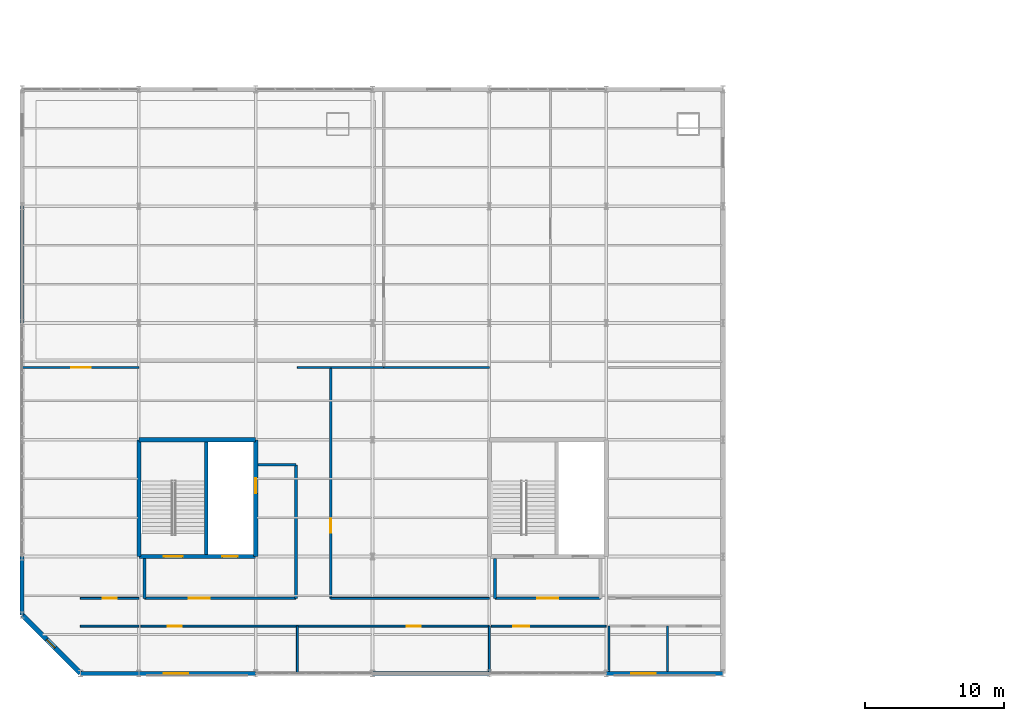
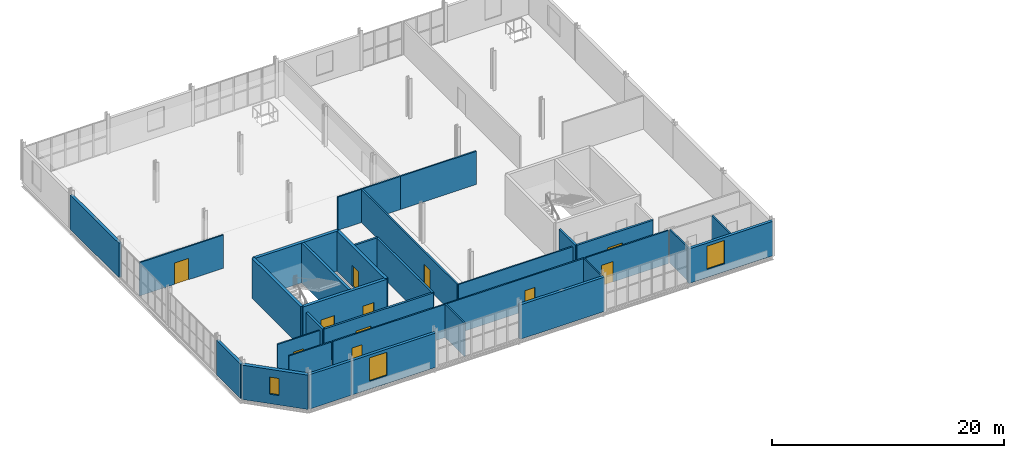
# One storey, part 48 of 65: 33 walls, 11 doors, 3 windows, 14 openings.
"""IFC4 building model written with IfcOpenShell, lengths in metres."""

from ifc_helpers import new_model, si_unit, direction, frame, frame_2d, origin, place, context, subcontext, project, spatial, rectangle, extrude, material, layer, layer_set, type_object, element, fill, save


model = new_model("IFC4")

# Units and contexts
model_context = context("Model", 3, precision=1e-05, world=origin(), true_north=direction((0.0, 1.0)))
body_context = subcontext(model_context, "Body", "Model", "MODEL_VIEW")
ifc_project = project(units=[si_unit("LENGTHUNIT", "METRE"), si_unit("AREAUNIT", "SQUARE_METRE"), si_unit("VOLUMEUNIT", "CUBIC_METRE"), si_unit("PLANEANGLEUNIT", "RADIAN"), si_unit("MASSUNIT", "GRAM", prefix="KILO")], contexts=[model_context])

# Site, building, storey
site_placement = place(None, origin())
site = spatial("IfcSite", under=ifc_project, at=site_placement, CompositionType="ELEMENT")
building_placement = place(site_placement, origin())
building = spatial("IfcBuilding", under=site, at=building_placement, Name="Qalvenar Corner Mobility Hub", CompositionType="ELEMENT")
storey_placement = place(building_placement, frame((0.0, 0.0, 17.39990234375)))
storey = spatial("IfcBuildingStorey", under=building, at=storey_placement, Name="L04", CompositionType="ELEMENT", Elevation=17.39990234375)

# Wall
ifc_material_1 = material(Name="Concrete C40/50", Category="concrete")
ifc_layer_1 = layer(ifc_material_1, 0.25)
ifc_layer_set_1 = layer_set([ifc_layer_1], Name="Concrete C40/50")
wall_type_1 = type_object("IfcWallType", Name="WL-CORE250", PredefinedType="SHEAR", material=ifc_layer_set_1)
wall_1_placement = place(storey_placement, frame((13.25, 8.550048828125, 0.0), z_axis=(0.0, 0.0, 1.0), x_axis=(0.0, 1.0, 0.0)))
element("IfcWall", 1, at=wall_1_placement, inside=storey, type_object=wall_type_1, Name="Core Divider Wall C1-L04", PredefinedType="SHEAR", context=body_context, shape_type="SweptSolid", body=[
    extrude(rectangle(XDim=8.099853515625, YDim=0.25, at=frame_2d((4.0498046875, 0.0))), origin(), (0.0, 0.0, 1.0), 4.2001953125),
])

# Wall, openings, doors
ifc_layer_2 = layer(ifc_material_1, 0.300048828125)
ifc_layer_set_2 = layer_set([ifc_layer_2], Name="Concrete C40/50")
wall_type_2 = type_object("IfcWallType", Name="WL-CORE300", PredefinedType="SHEAR", material=ifc_layer_set_2)
wall_2_placement = place(storey_placement, frame((8.39990234375, 8.39990234375, 0.0), z_axis=(0.0, 0.0, 1.0), x_axis=(1.0, 0.0, 0.0)))
wall_2 = element("IfcWall", 2, at=wall_2_placement, inside=storey, type_object=wall_type_2, Name="Core Shear Wall C1-L04-S", PredefinedType="SHEAR", context=body_context, shape_type="SweptSolid", body=[
    extrude(rectangle(XDim=8.400146484375, YDim=0.300048828125, at=frame_2d((4.2001953125, 0.0))), origin(), (0.0, 0.0, 1.0), 4.2001953125),
])
opening_1_placement = place(wall_2_placement, frame((1.800048828125, 0.0, 0.0)))
opening_1 = element("IfcOpeningElement", 3, at=opening_1_placement, cuts=wall_2, Name="Opening DR-227", PredefinedType="OPENING", context=body_context, shape_type="SweptSolid", body=[
    extrude(rectangle(XDim=1.35009765625, YDim=2.199951171875, at=frame_2d((0.675048828125, 1.10009765625))), frame((0.0, 0.16015625, 0.0), z_axis=(0.0, -1.0, 0.0), x_axis=(1.0, 0.0, 0.0)), (0.0, 0.0, 1.0), 0.320068359375),
])
opening_2_placement = place(wall_2_placement, frame((6.0, 0.0, 0.0)))
opening_2 = element("IfcOpeningElement", 4, at=opening_2_placement, cuts=wall_2, Name="Opening DR-228", PredefinedType="OPENING", context=body_context, shape_type="SweptSolid", body=[
    extrude(rectangle(XDim=1.10009765625, YDim=2.199951171875, at=frame_2d((0.550048828125, 1.10009765625))), frame((0.0, 0.16015625, 0.0), z_axis=(0.0, -1.0, 0.0), x_axis=(1.0, 0.0, 0.0)), (0.0, 0.0, 1.0), 0.320068359375),
])
ifc_material_2 = material(Name="Stainless Steel Lift Landing Door", Category="steel")
door_type_1 = type_object("IfcDoorType", Name="DR-LIFT-110", OperationType="SLIDING_TO_LEFT", PredefinedType="DOOR", material=ifc_material_2)
door_1_placement = place(opening_2_placement, origin())
door_1 = element("IfcDoor", 5, at=door_1_placement, inside=storey, type_object=door_type_1, Name="DR-228 Lift Landing Door LF1-L04", OperationType="SLIDING_TO_LEFT", OverallHeight=2.199951171875, OverallWidth=1.10009765625, PredefinedType="DOOR", context=body_context, shape_type="SweptSolid", body=[
    extrude(rectangle(XDim=1.10009765625, YDim=2.199951171875, at=frame_2d((0.550048828125, 1.10009765625))), frame((0.0, 0.02490234375, 0.0), z_axis=(0.0, -1.0, 0.0), x_axis=(1.0, 0.0, 0.0)), (0.0, 0.0, 1.0), 0.050048828125),
])
fill(opening_2, door_1)
ifc_material_3 = material(Name="Fire-Rated Steel Stair Door FD90", Category="steel")
door_type_2 = type_object("IfcDoorType", Name="DR-STAIR-135", OperationType="NOTDEFINED", PredefinedType="DOOR", material=ifc_material_3)
door_2_placement = place(opening_1_placement, origin())
door_2 = element("IfcDoor", 6, at=door_2_placement, inside=storey, type_object=door_type_2, Name="DR-227 Stair Fire Door ST1-L04", OperationType="SINGLE_SWING_LEFT", OverallHeight=2.199951171875, OverallWidth=1.35009765625, PredefinedType="DOOR", context=body_context, shape_type="SweptSolid", body=[
    extrude(rectangle(XDim=1.35009765625, YDim=2.199951171875, at=frame_2d((0.675048828125, 1.10009765625))), frame((0.0, 0.02490234375, 0.0), z_axis=(0.0, -1.0, 0.0), x_axis=(1.0, 0.0, 0.0)), (0.0, 0.0, 1.0), 0.050048828125),
])
fill(opening_1, door_2)

# Wall, opening, door
wall_3_placement = place(storey_placement, frame((16.800048828125, 8.39990234375, 0.0), z_axis=(0.0, 0.0, 1.0), x_axis=(0.0, 1.0, 0.0)))
wall_3 = element("IfcWall", 7, at=wall_3_placement, inside=storey, type_object=wall_type_2, Name="Core Shear Wall C1-L04-E", PredefinedType="SHEAR", context=body_context, shape_type="SweptSolid", body=[
    extrude(rectangle(XDim=8.400146484375, YDim=0.300048828125, at=frame_2d((4.2001953125, 0.0))), origin(), (0.0, 0.0, 1.0), 4.2001953125),
])
opening_3_placement = place(wall_3_placement, frame((4.550048828125, 0.0, 0.0)))
opening_3 = element("IfcOpeningElement", 8, at=opening_3_placement, cuts=wall_3, Name="Opening DR-229", PredefinedType="OPENING", context=body_context, shape_type="SweptSolid", body=[
    extrude(rectangle(XDim=1.10009765625, YDim=2.199951171875, at=frame_2d((0.550048828125, 1.10009765625))), frame((0.0, 0.16015625, 0.0), z_axis=(0.0, -1.0, 0.0), x_axis=(1.0, 0.0, 0.0)), (0.0, 0.0, 1.0), 0.320068359375),
])
door_3_placement = place(opening_3_placement, origin())
door_3 = element("IfcDoor", 9, at=door_3_placement, inside=storey, type_object=door_type_1, Name="DR-229 Lift Landing Door LP1-L04", OperationType="SLIDING_TO_RIGHT", OverallHeight=2.199951171875, OverallWidth=1.10009765625, PredefinedType="DOOR", context=body_context, shape_type="SweptSolid", body=[
    extrude(rectangle(XDim=1.10009765625, YDim=2.199951171875, at=frame_2d((0.550048828125, 1.10009765625))), frame((0.0, 0.02490234375, 0.0), z_axis=(0.0, -1.0, 0.0), x_axis=(1.0, 0.0, 0.0)), (0.0, 0.0, 1.0), 0.050048828125),
])
fill(opening_3, door_3)

# Walls
for number, where, z_axis, x_axis, name in (
    (10, (16.800048828125, 16.800048828125, 0.0), (0.0, 0.0, 1.0), (-1.0, 0.0, 0.0), "Core Shear Wall C1-L04-N"),
    (11, (8.39990234375, 16.800048828125, 0.0), (0.0, 0.0, 1.0), (0.0, -1.0, 0.0), "Core Shear Wall C1-L04-W"),
):
    element("IfcWall", number, at=place(storey_placement, frame(where, z_axis=z_axis, x_axis=x_axis)), inside=storey, type_object=wall_type_2, Name=name, PredefinedType="SHEAR", context=body_context, shape_type="SweptSolid", body=[
        extrude(rectangle(XDim=8.400146484375, YDim=0.300048828125, at=frame_2d((4.2001953125, 0.0))), origin(), (0.0, 0.0, 1.0), 4.2001953125),
    ])
ifc_material_4 = material(Name="Kashikari Glazed Faience Masonry", Category="masonry")
ifc_layer_3 = layer(ifc_material_4, 0.280029296875)
ifc_layer_set_3 = layer_set([ifc_layer_3], Name="Kashikari Glazed Faience Masonry")
wall_type_3 = type_object("IfcWallType", Name="WL-EXT-FAI280", PredefinedType="STANDARD", material=ifc_layer_set_3)
wall_4_placement = place(storey_placement, frame((4.199951171875, 0.0, 0.0), z_axis=(0.0, 0.0, 1.0), x_axis=(1.0, 0.0, 0.0)))
element("IfcWall", 12, at=wall_4_placement, inside=storey, type_object=wall_type_3, Name="Exterior Facade Wall EW-V3-L04-041", PredefinedType="STANDARD", context=body_context, shape_type="SweptSolid", body=[
    extrude(rectangle(XDim=4.199951171875, YDim=0.280029296875, at=frame_2d((2.10009765625, 0.0))), origin(), (0.0, 0.0, 1.0), 3.6201171875),
])

# Wall, opening, window
wall_5_placement = place(storey_placement, frame((8.39990234375, 0.0, 0.0), z_axis=(0.0, 0.0, 1.0), x_axis=(1.0, 0.0, 0.0)))
wall_5 = element("IfcWall", 13, at=wall_5_placement, inside=storey, type_object=wall_type_3, Name="Exterior Facade Wall EW-V3-L04-042", PredefinedType="STANDARD", context=body_context, shape_type="SweptSolid", body=[
    extrude(rectangle(XDim=8.400146484375, YDim=0.280029296875, at=frame_2d((4.2001953125, 0.0))), origin(), (0.0, 0.0, 1.0), 3.6201171875),
])
opening_4_placement = place(wall_5_placement, frame((1.800048828125, 0.0, 0.85009765625)))
opening_4 = element("IfcOpeningElement", 14, at=opening_4_placement, cuts=wall_5, Name="Opening W-25", PredefinedType="OPENING", context=body_context, shape_type="SweptSolid", body=[
    extrude(rectangle(XDim=1.75, YDim=2.449951171875, at=frame_2d((0.875, 1.22509765625))), frame((0.0, 0.14990234375, 0.0), z_axis=(0.0, -1.0, 0.0), x_axis=(1.0, 0.0, 0.0)), (0.0, 0.0, 1.0), 0.300048828125),
])
ifc_material_5 = material(Name="Solar-Control Double-Glazed Bronze Window", Category="glass")
window_type_1 = type_object("IfcWindowType", Name="WN-CIV-175X245", PartitioningType="DOUBLE_PANEL_VERTICAL", PredefinedType="WINDOW", material=ifc_material_5)
window_1_placement = place(opening_4_placement, origin())
window_1 = element("IfcWindow", 15, at=window_1_placement, inside=storey, type_object=window_type_1, Name="Facade Window EW-V3-L04-042-W1", OverallHeight=2.449951171875, OverallWidth=1.75, PartitioningType="SINGLE_PANEL", PredefinedType="WINDOW", context=body_context, shape_type="SweptSolid", body=[
    extrude(rectangle(XDim=1.75, YDim=2.449951171875, at=frame_2d((0.875, 1.22509765625))), frame((0.0, 0.030029296875, 0.0), z_axis=(0.0, -1.0, 0.0), x_axis=(1.0, 0.0, 0.0)), (0.0, 0.0, 1.0), 0.06005859375),
])
fill(opening_4, window_1)

# Wall
wall_6_placement = place(storey_placement, frame((25.199951171875, 0.0, 0.0), z_axis=(0.0, 0.0, 1.0), x_axis=(1.0, 0.0, 0.0)))
element("IfcWall", 16, at=wall_6_placement, inside=storey, type_object=wall_type_3, Name="Exterior Facade Wall EW-V3-L04-043", PredefinedType="STANDARD", context=body_context, shape_type="SweptSolid", body=[
    extrude(rectangle(XDim=8.400146484375, YDim=0.280029296875, at=frame_2d((4.2001953125, 0.0))), origin(), (0.0, 0.0, 1.0), 3.6201171875),
])

# Wall, opening, window
wall_7_placement = place(storey_placement, frame((42.0, 0.0, 0.0), z_axis=(0.0, 0.0, 1.0), x_axis=(1.0, 0.0, 0.0)))
wall_7 = element("IfcWall", 17, at=wall_7_placement, inside=storey, type_object=wall_type_3, Name="Exterior Facade Wall EW-V3-L04-044", PredefinedType="STANDARD", context=body_context, shape_type="SweptSolid", body=[
    extrude(rectangle(XDim=8.39990234375, YDim=0.280029296875, at=frame_2d((4.199951171875, 0.0))), origin(), (0.0, 0.0, 1.0), 3.6201171875),
])
opening_5_placement = place(wall_7_placement, frame((1.800048828125, 0.0, 0.85009765625)))
opening_5 = element("IfcOpeningElement", 18, at=opening_5_placement, cuts=wall_7, Name="Opening W-25", PredefinedType="OPENING", context=body_context, shape_type="SweptSolid", body=[
    extrude(rectangle(XDim=1.75, YDim=2.449951171875, at=frame_2d((0.875, 1.22509765625))), frame((0.0, 0.14990234375, 0.0), z_axis=(0.0, -1.0, 0.0), x_axis=(1.0, 0.0, 0.0)), (0.0, 0.0, 1.0), 0.300048828125),
])
window_2_placement = place(opening_5_placement, origin())
window_2 = element("IfcWindow", 19, at=window_2_placement, inside=storey, type_object=window_type_1, Name="Facade Window EW-V3-L04-044-W1", OverallHeight=2.449951171875, OverallWidth=1.75, PartitioningType="SINGLE_PANEL", PredefinedType="WINDOW", context=body_context, shape_type="SweptSolid", body=[
    extrude(rectangle(XDim=1.75, YDim=2.449951171875, at=frame_2d((0.875, 1.22509765625))), frame((0.0, 0.030029296875, 0.0), z_axis=(0.0, -1.0, 0.0), x_axis=(1.0, 0.0, 0.0)), (0.0, 0.0, 1.0), 0.06005859375),
])
fill(opening_5, window_2)

# Walls
wall_8_placement = place(storey_placement, frame((0.0, 8.39990234375, 0.0), z_axis=(0.0, 0.0, 1.0), x_axis=(0.0, -1.0, 0.0)))
element("IfcWall", 20, at=wall_8_placement, inside=storey, type_object=wall_type_3, Name="Exterior Facade Wall EW-V3-L04-045", PredefinedType="STANDARD", context=body_context, shape_type="SweptSolid", body=[
    extrude(rectangle(XDim=4.199951171875, YDim=0.280029296875, at=frame_2d((2.10009765625, 0.0))), origin(), (0.0, 0.0, 1.0), 3.6201171875),
])
wall_9_placement = place(storey_placement, frame((0.0, 33.60009765625, 0.0), z_axis=(0.0, 0.0, 1.0), x_axis=(0.0, -1.0, 0.0)))
element("IfcWall", 21, at=wall_9_placement, inside=storey, type_object=wall_type_3, Name="Exterior Facade Wall EW-V3-L04-046", PredefinedType="STANDARD", context=body_context, shape_type="SweptSolid", body=[
    extrude(rectangle(XDim=8.400146484375, YDim=0.280029296875, at=frame_2d((4.2001953125, 0.0))), origin(), (0.0, 0.0, 1.0), 3.6201171875),
])

# Wall, opening, window
ifc_material_6 = material(Name="Red Sandstone Ashlar Masonry", Category="masonry")
ifc_layer_4 = layer(ifc_material_6, 0.360107421875)
ifc_layer_set_4 = layer_set([ifc_layer_4], Name="Red Sandstone Ashlar Masonry")
wall_type_4 = type_object("IfcWallType", Name="WL-EXT-SAND360", PredefinedType="STANDARD", material=ifc_layer_set_4)
wall_10_placement = place(storey_placement, frame((0.0, 4.199951171875, 0.0), z_axis=(0.0, 0.0, 1.0), x_axis=(0.707106781187, -0.707106781187, 0.0)))
wall_10 = element("IfcWall", 22, at=wall_10_placement, inside=storey, type_object=wall_type_4, Name="Exterior Facade Wall EW-V3-SPL-L04", PredefinedType="STANDARD", context=body_context, shape_type="SweptSolid", body=[
    extrude(rectangle(XDim=5.939697265625, YDim=0.360107421875, at=frame_2d((2.9697265625, 0.0))), origin(), (0.0, 0.0, 1.0), 3.6201171875),
])
opening_6_placement = place(wall_10_placement, frame((2.5, 0.0, 1.0)))
opening_6 = element("IfcOpeningElement", 23, at=opening_6_placement, cuts=wall_10, Name="Opening W-23", PredefinedType="OPENING", context=body_context, shape_type="SweptSolid", body=[
    extrude(rectangle(XDim=0.85009765625, YDim=1.800048828125, at=frame_2d((0.425048828125, 0.89990234375))), frame((0.0, 0.18994140625, 0.0), z_axis=(0.0, -1.0, 0.0), x_axis=(1.0, 0.0, 0.0)), (0.0, 0.0, 1.0), 0.380126953125),
])
window_type_2 = type_object("IfcWindowType", Name="WN-STR-085X180", PartitioningType="SINGLE_PANEL", PredefinedType="WINDOW", material=ifc_material_5)
window_3_placement = place(opening_6_placement, origin())
window_3 = element("IfcWindow", 24, at=window_3_placement, inside=storey, type_object=window_type_2, Name="Facade Window EW-V3-SPL-L04-W1", OverallHeight=1.800048828125, OverallWidth=0.85009765625, PartitioningType="SINGLE_PANEL", PredefinedType="WINDOW", context=body_context, shape_type="SweptSolid", body=[
    extrude(rectangle(XDim=0.85009765625, YDim=1.800048828125, at=frame_2d((0.425048828125, 0.89990234375))), frame((0.0, 0.030029296875, 0.0), z_axis=(0.0, -1.0, 0.0), x_axis=(1.0, 0.0, 0.0)), (0.0, 0.0, 1.0), 0.06005859375),
])
fill(opening_6, window_3)

# Wall
ifc_material_7 = material(Name="Acoustic Gypsum Stud Partition", Category="masonry")
ifc_layer_5 = layer(ifc_material_7, 0.139892578125)
ifc_layer_set_5 = layer_set([ifc_layer_5], Name="Acoustic Gypsum Stud Partition")
wall_type_5 = type_object("IfcWallType", Name="WL-INT140", PredefinedType="PARTITIONING", material=ifc_layer_set_5)
wall_11_placement = place(storey_placement, frame((4.199951171875, 3.39990234375, 0.0), z_axis=(0.0, 0.0, 1.0), x_axis=(1.0, 0.0, 0.0)))
element("IfcWall", 25, at=wall_11_placement, inside=storey, type_object=wall_type_5, Name="Interior Partition PRT-L04-001", PredefinedType="PARTITIONING", context=body_context, shape_type="SweptSolid", body=[
    extrude(rectangle(XDim=4.199951171875, YDim=0.139892578125, at=frame_2d((2.10009765625, 0.0))), origin(), (0.0, 0.0, 1.0), 3.5),
])

# Wall, opening, door
wall_12_placement = place(storey_placement, frame((8.550048828125, 3.39990234375, 0.0), z_axis=(0.0, 0.0, 1.0), x_axis=(1.0, 0.0, 0.0)))
wall_12 = element("IfcWall", 26, at=wall_12_placement, inside=storey, type_object=wall_type_5, Name="Interior Partition PRT-L04-002", PredefinedType="PARTITIONING", context=body_context, shape_type="SweptSolid", body=[
    extrude(rectangle(XDim=11.25, YDim=0.139892578125, at=frame_2d((5.625, 0.0))), origin(), (0.0, 0.0, 1.0), 3.5),
])
opening_7_placement = place(wall_12_placement, frame((1.919921875, 0.0, 0.0)))
opening_7 = element("IfcOpeningElement", 27, at=opening_7_placement, cuts=wall_12, Name="Opening DR-241", PredefinedType="OPENING", context=body_context, shape_type="SweptSolid", body=[
    extrude(rectangle(XDim=1.0, YDim=2.14990234375, at=frame_2d((0.5, 1.074951171875))), frame((0.0, 0.080078125, 0.0), z_axis=(0.0, -1.0, 0.0), x_axis=(1.0, 0.0, 0.0)), (0.0, 0.0, 1.0), 0.159912109375),
])
ifc_material_8 = material(Name="Hardwood Teak Office Door FD30", Category="wood")
door_type_3 = type_object("IfcDoorType", Name="DR-INT-OFF100", OperationType="NOTDEFINED", PredefinedType="DOOR", material=ifc_material_8)
door_4_placement = place(opening_7_placement, origin())
door_4 = element("IfcDoor", 28, at=door_4_placement, inside=storey, type_object=door_type_3, Name="DR-241 City Transport Scale-Model Room Door", OperationType="SINGLE_SWING_RIGHT", OverallHeight=2.14990234375, OverallWidth=1.0, PredefinedType="DOOR", context=body_context, shape_type="SweptSolid", body=[
    extrude(rectangle(XDim=1.0, YDim=2.14990234375, at=frame_2d((0.5, 1.074951171875))), frame((0.0, 0.02490234375, 0.0), z_axis=(0.0, -1.0, 0.0), x_axis=(1.0, 0.0, 0.0)), (0.0, 0.0, 1.0), 0.050048828125),
])
fill(opening_7, door_4)

wall_13_placement = place(storey_placement, frame((19.800048828125, 3.39990234375, 0.0), z_axis=(0.0, 0.0, 1.0), x_axis=(1.0, 0.0, 0.0)))
wall_13 = element("IfcWall", 29, at=wall_13_placement, inside=storey, type_object=wall_type_5, Name="Interior Partition PRT-L04-003", PredefinedType="PARTITIONING", context=body_context, shape_type="SweptSolid", body=[
    extrude(rectangle(XDim=13.800048828125, YDim=0.139892578125, at=frame_2d((6.89990234375, 0.0))), origin(), (0.0, 0.0, 1.0), 3.5),
])
opening_8_placement = place(wall_13_placement, frame((7.8701171875, 0.0, 0.0)))
opening_8 = element("IfcOpeningElement", 30, at=opening_8_placement, cuts=wall_13, Name="Opening DR-242", PredefinedType="OPENING", context=body_context, shape_type="SweptSolid", body=[
    extrude(rectangle(XDim=1.0, YDim=2.14990234375, at=frame_2d((0.5, 1.074951171875))), frame((0.0, 0.080078125, 0.0), z_axis=(0.0, -1.0, 0.0), x_axis=(1.0, 0.0, 0.0)), (0.0, 0.0, 1.0), 0.159912109375),
])
door_5_placement = place(opening_8_placement, origin())
door_5 = element("IfcDoor", 31, at=door_5_placement, inside=storey, type_object=door_type_3, Name="DR-242 Transport Planning Reading Room Door", OperationType="SINGLE_SWING_LEFT", OverallHeight=2.14990234375, OverallWidth=1.0, PredefinedType="DOOR", context=body_context, shape_type="SweptSolid", body=[
    extrude(rectangle(XDim=1.0, YDim=2.14990234375, at=frame_2d((0.5, 1.074951171875))), frame((0.0, 0.02490234375, 0.0), z_axis=(0.0, -1.0, 0.0), x_axis=(1.0, 0.0, 0.0)), (0.0, 0.0, 1.0), 0.050048828125),
])
fill(opening_8, door_5)

wall_14_placement = place(storey_placement, frame((33.75, 3.39990234375, 0.0), z_axis=(0.0, 0.0, 1.0), x_axis=(1.0, 0.0, 0.0)))
wall_14 = element("IfcWall", 32, at=wall_14_placement, inside=storey, type_object=wall_type_5, Name="Interior Partition PRT-L04-004", PredefinedType="PARTITIONING", context=body_context, shape_type="SweptSolid", body=[
    extrude(rectangle(XDim=8.25, YDim=0.139892578125, at=frame_2d((4.125, 0.0))), origin(), (0.0, 0.0, 1.0), 3.5),
])
opening_9_placement = place(wall_14_placement, frame((1.570068359375, 0.0, 0.0)))
opening_9 = element("IfcOpeningElement", 33, at=opening_9_placement, cuts=wall_14, Name="Opening DR-243", PredefinedType="OPENING", context=body_context, shape_type="SweptSolid", body=[
    extrude(rectangle(XDim=1.14990234375, YDim=2.14990234375, at=frame_2d((0.574951171875, 1.074951171875))), frame((0.0, 0.080078125, 0.0), z_axis=(0.0, -1.0, 0.0), x_axis=(1.0, 0.0, 0.0)), (0.0, 0.0, 1.0), 0.159912109375),
])
ifc_material_9 = material(Name="Steel Parts Store Door FD60", Category="steel")
door_type_4 = type_object("IfcDoorType", Name="DR-INT-STR115", OperationType="NOTDEFINED", PredefinedType="DOOR", material=ifc_material_9)
door_6_placement = place(opening_9_placement, origin())
door_6 = element("IfcDoor", 34, at=door_6_placement, inside=storey, type_object=door_type_4, Name="DR-243 Fourth Floor Chair and AV Store Door", OperationType="SINGLE_SWING_LEFT", OverallHeight=2.14990234375, OverallWidth=1.14990234375, PredefinedType="DOOR", context=body_context, shape_type="SweptSolid", body=[
    extrude(rectangle(XDim=1.14990234375, YDim=2.14990234375, at=frame_2d((0.574951171875, 1.074951171875))), frame((0.0, 0.02490234375, 0.0), z_axis=(0.0, -1.0, 0.0), x_axis=(1.0, 0.0, 0.0)), (0.0, 0.0, 1.0), 0.050048828125),
])
fill(opening_9, door_6)

wall_15_placement = place(storey_placement, frame((4.199951171875, 5.39990234375, 0.0), z_axis=(0.0, 0.0, 1.0), x_axis=(1.0, 0.0, 0.0)))
wall_15 = element("IfcWall", 35, at=wall_15_placement, inside=storey, type_object=wall_type_5, Name="Interior Partition PRT-L04-007", PredefinedType="PARTITIONING", context=body_context, shape_type="SweptSolid", body=[
    extrude(rectangle(XDim=4.199951171875, YDim=0.139892578125, at=frame_2d((2.10009765625, 0.0))), origin(), (0.0, 0.0, 1.0), 3.5),
])
opening_10_placement = place(wall_15_placement, frame((1.60009765625, 0.0, 0.0)))
opening_10 = element("IfcOpeningElement", 36, at=opening_10_placement, cuts=wall_15, Name="Opening DR-246", PredefinedType="OPENING", context=body_context, shape_type="SweptSolid", body=[
    extrude(rectangle(XDim=1.0, YDim=2.14990234375, at=frame_2d((0.5, 1.074951171875))), frame((0.0, 0.080078125, 0.0), z_axis=(0.0, -1.0, 0.0), x_axis=(1.0, 0.0, 0.0)), (0.0, 0.0, 1.0), 0.159912109375),
])
door_7_placement = place(opening_10_placement, origin())
door_7 = element("IfcDoor", 37, at=door_7_placement, inside=storey, type_object=door_type_3, Name="DR-246 Lahore Transit Heritage Gallery Door", OperationType="SINGLE_SWING_LEFT", OverallHeight=2.14990234375, OverallWidth=1.0, PredefinedType="DOOR", context=body_context, shape_type="SweptSolid", body=[
    extrude(rectangle(XDim=1.0, YDim=2.14990234375, at=frame_2d((0.5, 1.074951171875))), frame((0.0, 0.02490234375, 0.0), z_axis=(0.0, -1.0, 0.0), x_axis=(1.0, 0.0, 0.0)), (0.0, 0.0, 1.0), 0.050048828125),
])
fill(opening_10, door_7)

# Wall
wall_16_placement = place(storey_placement, frame((22.199951171875, 5.39990234375, 0.0), z_axis=(0.0, 0.0, 1.0), x_axis=(1.0, 0.0, 0.0)))
element("IfcWall", 38, at=wall_16_placement, inside=storey, type_object=wall_type_5, Name="Interior Partition PRT-L04-008", PredefinedType="PARTITIONING", context=body_context, shape_type="SweptSolid", body=[
    extrude(rectangle(XDim=11.400146484375, YDim=0.139892578125, at=frame_2d((5.7001953125, 0.0))), origin(), (0.0, 0.0, 1.0), 3.5),
])

# Wall, opening, door
wall_17_placement = place(storey_placement, frame((0.044921875, 22.0, 0.0), z_axis=(0.0, 0.0, 1.0), x_axis=(1.0, 0.0, 0.0)))
wall_17 = element("IfcWall", 39, at=wall_17_placement, inside=storey, type_object=wall_type_5, Name="Interior Partition PRT-L04-010", PredefinedType="PARTITIONING", context=body_context, shape_type="SweptSolid", body=[
    extrude(rectangle(XDim=8.35498046875, YDim=0.139892578125, at=frame_2d((4.177490234375, 0.0))), origin(), (0.0, 0.0, 1.0), 3.5),
])
opening_11_placement = place(wall_17_placement, frame((3.47802734375, 0.0, 0.0)))
opening_11 = element("IfcOpeningElement", 40, at=opening_11_placement, cuts=wall_17, Name="Opening DR-248", PredefinedType="OPENING", context=body_context, shape_type="SweptSolid", body=[
    extrude(rectangle(XDim=1.39990234375, YDim=2.25, at=frame_2d((0.699951171875, 1.125))), frame((0.0, 0.080078125, 0.0), z_axis=(0.0, -1.0, 0.0), x_axis=(1.0, 0.0, 0.0)), (0.0, 0.0, 1.0), 0.159912109375),
])
ifc_material_10 = material(Name="Hardwood Teak Acoustic Double Door", Category="wood")
door_type_5 = type_object("IfcDoorType", Name="DR-INT-PUB140", OperationType="DOUBLE_DOOR_SINGLE_SWING", PredefinedType="DOOR", material=ifc_material_10)
door_8_placement = place(opening_11_placement, origin())
door_8 = element("IfcDoor", 41, at=door_8_placement, inside=storey, type_object=door_type_5, Name="DR-248 Civic Sustainable Transport Seminar Hall Door", OperationType="DOUBLE_DOOR_SINGLE_SWING", OverallHeight=2.25, OverallWidth=1.39990234375, PredefinedType="DOOR", context=body_context, shape_type="SweptSolid", body=[
    extrude(rectangle(XDim=1.39990234375, YDim=2.25, at=frame_2d((0.699951171875, 1.125))), frame((0.0, 0.02490234375, 0.0), z_axis=(0.0, -1.0, 0.0), x_axis=(1.0, 0.0, 0.0)), (0.0, 0.0, 1.0), 0.050048828125),
])
fill(opening_11, door_8)

# Walls
wall_18_placement = place(storey_placement, frame((19.800048828125, 22.0, 0.0), z_axis=(0.0, 0.0, 1.0), x_axis=(1.0, 0.0, 0.0)))
element("IfcWall", 42, at=wall_18_placement, inside=storey, type_object=wall_type_5, Name="Interior Partition PRT-L04-011", PredefinedType="PARTITIONING", context=body_context, shape_type="SweptSolid", body=[
    extrude(rectangle(XDim=2.39990234375, YDim=0.139892578125, at=frame_2d((1.199951171875, 0.0))), origin(), (0.0, 0.0, 1.0), 3.5),
])
wall_19_placement = place(storey_placement, frame((22.199951171875, 22.0, 0.0), z_axis=(0.0, 0.0, 1.0), x_axis=(1.0, 0.0, 0.0)))
element("IfcWall", 43, at=wall_19_placement, inside=storey, type_object=wall_type_5, Name="Interior Partition PRT-L04-012", PredefinedType="PARTITIONING", context=body_context, shape_type="SweptSolid", body=[
    extrude(rectangle(XDim=3.800048828125, YDim=0.139892578125, at=frame_2d((1.89990234375, 0.0))), origin(), (0.0, 0.0, 1.0), 3.5),
])
wall_20_placement = place(storey_placement, frame((26.0, 22.0, 0.0), z_axis=(0.0, 0.0, 1.0), x_axis=(1.0, 0.0, 0.0)))
element("IfcWall", 44, at=wall_20_placement, inside=storey, type_object=wall_type_5, Name="Interior Partition PRT-L04-013", PredefinedType="PARTITIONING", context=body_context, shape_type="SweptSolid", body=[
    extrude(rectangle(XDim=7.60009765625, YDim=0.139892578125, at=frame_2d((3.800048828125, 0.0))), origin(), (0.0, 0.0, 1.0), 3.5),
])
wall_21_placement = place(storey_placement, frame((19.800048828125, 0.044921875, 0.0), z_axis=(0.0, 0.0, 1.0), x_axis=(0.0, 1.0, 0.0)))
element("IfcWall", 45, at=wall_21_placement, inside=storey, type_object=wall_type_5, Name="Interior Partition PRT-L04-017", PredefinedType="PARTITIONING", context=body_context, shape_type="SweptSolid", body=[
    extrude(rectangle(XDim=3.35498046875, YDim=0.139892578125, at=frame_2d((1.677490234375, 0.0))), origin(), (0.0, 0.0, 1.0), 3.5),
])
wall_22_placement = place(storey_placement, frame((33.60009765625, 0.14501953125, 0.0), z_axis=(0.0, 0.0, 1.0), x_axis=(0.0, 1.0, 0.0)))
element("IfcWall", 46, at=wall_22_placement, inside=storey, type_object=wall_type_5, Name="Interior Partition PRT-L04-020", PredefinedType="PARTITIONING", context=body_context, shape_type="SweptSolid", body=[
    extrude(rectangle(XDim=3.2548828125, YDim=0.139892578125, at=frame_2d((1.62744140625, 0.0))), origin(), (0.0, 0.0, 1.0), 3.489990234375),
])

# Wall, opening, door
ifc_material_11 = material(Name="Plastered Clay Brick Partition", Category="masonry")
ifc_layer_6 = layer(ifc_material_11, 0.159912109375)
ifc_layer_set_6 = layer_set([ifc_layer_6], Name="Plastered Clay Brick Partition")
wall_type_6 = type_object("IfcWallType", Name="WL-INT160", PredefinedType="PARTITIONING", material=ifc_layer_set_6)
wall_23_placement = place(storey_placement, frame((22.199951171875, 5.39990234375, 0.0), z_axis=(0.0, 0.0, 1.0), x_axis=(0.0, 1.0, 0.0)))
wall_23 = element("IfcWall", 47, at=wall_23_placement, inside=storey, type_object=wall_type_6, Name="Interior Partition PRT-L04-018", PredefinedType="PARTITIONING", context=body_context, shape_type="SweptSolid", body=[
    extrude(rectangle(XDim=16.60009765625, YDim=0.159912109375, at=frame_2d((8.300048828125, 0.0))), origin(), (0.0, 0.0, 1.0), 3.5),
])
opening_12_placement = place(wall_23_placement, frame((4.719970703125, 0.0, 0.0)))
opening_12 = element("IfcOpeningElement", 48, at=opening_12_placement, cuts=wall_23, Name="Opening DR-249", PredefinedType="OPENING", context=body_context, shape_type="SweptSolid", body=[
    extrude(rectangle(XDim=1.0, YDim=2.14990234375, at=frame_2d((0.5, 1.074951171875))), frame((0.0, 0.08984375, 0.0), z_axis=(0.0, -1.0, 0.0), x_axis=(1.0, 0.0, 0.0)), (0.0, 0.0, 1.0), 0.179931640625),
])
door_9_placement = place(opening_12_placement, origin())
door_9 = element("IfcDoor", 49, at=door_9_placement, inside=storey, type_object=door_type_3, Name="DR-249 Advisory Board Meeting Room Door", OperationType="SINGLE_SWING_RIGHT", OverallHeight=2.14990234375, OverallWidth=1.0, PredefinedType="DOOR", context=body_context, shape_type="SweptSolid", body=[
    extrude(rectangle(XDim=1.0, YDim=2.14990234375, at=frame_2d((0.5, 1.074951171875))), frame((0.0, 0.02490234375, 0.0), z_axis=(0.0, -1.0, 0.0), x_axis=(1.0, 0.0, 0.0)), (0.0, 0.0, 1.0), 0.050048828125),
])
fill(opening_12, door_9)

# Wall
ifc_material_12 = material(Name="Concrete Blockwork Masonry", Category="masonry")
ifc_layer_7 = layer(ifc_material_12, 0.199951171875)
ifc_layer_set_7 = layer_set([ifc_layer_7], Name="Concrete Blockwork Masonry")
wall_type_7 = type_object("IfcWallType", Name="WL-LOBBY200", PredefinedType="PARTITIONING", material=ifc_layer_set_7)
wall_24_placement = place(storey_placement, frame((8.800048828125, 5.39990234375, 0.0), z_axis=(0.0, 0.0, 1.0), x_axis=(0.0, 1.0, 0.0)))
element("IfcWall", 50, at=wall_24_placement, inside=storey, type_object=wall_type_7, Name="Interior Partition WL-LOB-C1-L04-W", PredefinedType="PARTITIONING", context=body_context, shape_type="SweptSolid", body=[
    extrude(rectangle(XDim=2.85009765625, YDim=0.199951171875, at=frame_2d((1.425048828125, 0.0))), origin(), (0.0, 0.0, 1.0), 3.52001953125),
])

# Wall, opening, door
wall_25_placement = place(storey_placement, frame((8.800048828125, 5.39990234375, 0.0), z_axis=(0.0, 0.0, 1.0), x_axis=(1.0, 0.0, 0.0)))
wall_25 = element("IfcWall", 51, at=wall_25_placement, inside=storey, type_object=wall_type_7, Name="Interior Partition WL-LOB-C1-L04-S", PredefinedType="PARTITIONING", context=body_context, shape_type="SweptSolid", body=[
    extrude(rectangle(XDim=10.89990234375, YDim=0.199951171875, at=frame_2d((5.449951171875, 0.0))), origin(), (0.0, 0.0, 1.0), 3.52001953125),
])
opening_13_placement = place(wall_25_placement, frame((3.199951171875, 0.0, 0.0)))
opening_13 = element("IfcOpeningElement", 52, at=opening_13_placement, cuts=wall_25, Name="Opening DR-230", PredefinedType="OPENING", context=body_context, shape_type="SweptSolid", body=[
    extrude(rectangle(XDim=1.5, YDim=2.199951171875, at=frame_2d((0.75, 1.10009765625))), frame((0.0, 0.10986328125, 0.0), z_axis=(0.0, -1.0, 0.0), x_axis=(1.0, 0.0, 0.0)), (0.0, 0.0, 1.0), 0.219970703125),
])
ifc_material_13 = material(Name="Firefighting Lobby Smoke-Control Door FD60", Category="steel")
door_type_6 = type_object("IfcDoorType", Name="DR-FFLOB-150", OperationType="DOUBLE_DOOR_SINGLE_SWING", PredefinedType="DOOR", material=ifc_material_13)
door_10_placement = place(opening_13_placement, origin())
door_10 = element("IfcDoor", 53, at=door_10_placement, inside=storey, type_object=door_type_6, Name="DR-230 Lift Lobby Smoke Door C1-L04", OperationType="DOUBLE_DOOR_SINGLE_SWING", OverallHeight=2.199951171875, OverallWidth=1.5, PredefinedType="DOOR", context=body_context, shape_type="SweptSolid", body=[
    extrude(rectangle(XDim=1.5, YDim=2.199951171875, at=frame_2d((0.75, 1.10009765625))), frame((0.0, 0.02490234375, 0.0), z_axis=(0.0, -1.0, 0.0), x_axis=(1.0, 0.0, 0.0)), (0.0, 0.0, 1.0), 0.050048828125),
])
fill(opening_13, door_10)

# Walls
wall_26_placement = place(storey_placement, frame((19.699951171875, 5.39990234375, 0.0), z_axis=(0.0, 0.0, 1.0), x_axis=(0.0, 1.0, 0.0)))
element("IfcWall", 54, at=wall_26_placement, inside=storey, type_object=wall_type_7, Name="Interior Partition WL-LOB-C1-L04-E", PredefinedType="PARTITIONING", context=body_context, shape_type="SweptSolid", body=[
    extrude(rectangle(XDim=9.60009765625, YDim=0.199951171875, at=frame_2d((4.800048828125, 0.0))), origin(), (0.0, 0.0, 1.0), 3.52001953125),
])
wall_27_placement = place(storey_placement, frame((16.9599609375, 15.0, 0.0), z_axis=(0.0, 0.0, 1.0), x_axis=(1.0, 0.0, 0.0)))
element("IfcWall", 55, at=wall_27_placement, inside=storey, type_object=wall_type_7, Name="Interior Partition WL-LOB-C1-L04-N", PredefinedType="PARTITIONING", context=body_context, shape_type="SweptSolid", body=[
    extrude(rectangle(XDim=2.739990234375, YDim=0.199951171875, at=frame_2d((1.3701171875, 0.0))), origin(), (0.0, 0.0, 1.0), 3.52001953125),
])
wall_28_placement = place(storey_placement, frame((34.0, 5.39990234375, 0.0), z_axis=(0.0, 0.0, 1.0), x_axis=(0.0, 1.0, 0.0)))
element("IfcWall", 56, at=wall_28_placement, inside=storey, type_object=wall_type_7, Name="Interior Partition WL-LOB-C2-L04-W", PredefinedType="PARTITIONING", context=body_context, shape_type="SweptSolid", body=[
    extrude(rectangle(XDim=2.85009765625, YDim=0.199951171875, at=frame_2d((1.425048828125, 0.0))), origin(), (0.0, 0.0, 1.0), 3.489990234375),
])

# Wall, opening, door
wall_29_placement = place(storey_placement, frame((34.0, 5.39990234375, 0.0), z_axis=(0.0, 0.0, 1.0), x_axis=(1.0, 0.0, 0.0)))
wall_29 = element("IfcWall", 57, at=wall_29_placement, inside=storey, type_object=wall_type_7, Name="Interior Partition WL-LOB-C2-L04-S", PredefinedType="PARTITIONING", context=body_context, shape_type="SweptSolid", body=[
    extrude(rectangle(XDim=7.60009765625, YDim=0.199951171875, at=frame_2d((3.800048828125, 0.0))), origin(), (0.0, 0.0, 1.0), 3.52001953125),
])
opening_14_placement = place(wall_29_placement, frame((3.050048828125, 0.0, 0.0)))
opening_14 = element("IfcOpeningElement", 58, at=opening_14_placement, cuts=wall_29, Name="Opening DR-233", PredefinedType="OPENING", context=body_context, shape_type="SweptSolid", body=[
    extrude(rectangle(XDim=1.5, YDim=2.199951171875, at=frame_2d((0.75, 1.10009765625))), frame((0.0, 0.10986328125, 0.0), z_axis=(0.0, -1.0, 0.0), x_axis=(1.0, 0.0, 0.0)), (0.0, 0.0, 1.0), 0.219970703125),
])
door_11_placement = place(opening_14_placement, origin())
door_11 = element("IfcDoor", 59, at=door_11_placement, inside=storey, type_object=door_type_6, Name="DR-233 Lift Lobby Smoke Door C2-L04", OperationType="DOUBLE_DOOR_SINGLE_SWING", OverallHeight=2.199951171875, OverallWidth=1.5, PredefinedType="DOOR", context=body_context, shape_type="SweptSolid", body=[
    extrude(rectangle(XDim=1.5, YDim=2.199951171875, at=frame_2d((0.75, 1.10009765625))), frame((0.0, 0.02490234375, 0.0), z_axis=(0.0, -1.0, 0.0), x_axis=(1.0, 0.0, 0.0)), (0.0, 0.0, 1.0), 0.050048828125),
])
fill(opening_14, door_11)

# Walls
ifc_material_14 = material(Name="Ceramic-Tiled Moisture-Resistant Partition", Category="masonry")
ifc_layer_8 = layer(ifc_material_14, 0.14990234375)
ifc_layer_set_8 = layer_set([ifc_layer_8], Name="Ceramic-Tiled Moisture-Resistant Partition")
wall_type_8 = type_object("IfcWallType", Name="WL-WET150", PredefinedType="PARTITIONING", material=ifc_layer_set_8)
for number, where, z_axis, x_axis, name in (
    (60, (42.199951171875, 0.14501953125, 0.0), (0.0, 0.0, 1.0), (0.0, 1.0, 0.0), "Interior Partition PRT-L04-022"),
    (61, (46.39990234375, 0.14501953125, 0.0), (0.0, 0.0, 1.0), (0.0, 1.0, 0.0), "Interior Partition PRT-L04-023"),
):
    element("IfcWall", number, at=place(storey_placement, frame(where, z_axis=z_axis, x_axis=x_axis)), inside=storey, type_object=wall_type_8, Name=name, PredefinedType="PARTITIONING", context=body_context, shape_type="SweptSolid", body=[
        extrude(rectangle(XDim=3.2548828125, YDim=0.14990234375, at=frame_2d((1.62744140625, 0.0))), origin(), (0.0, 0.0, 1.0), 3.5),
    ])

save(model, "model.ifc")
